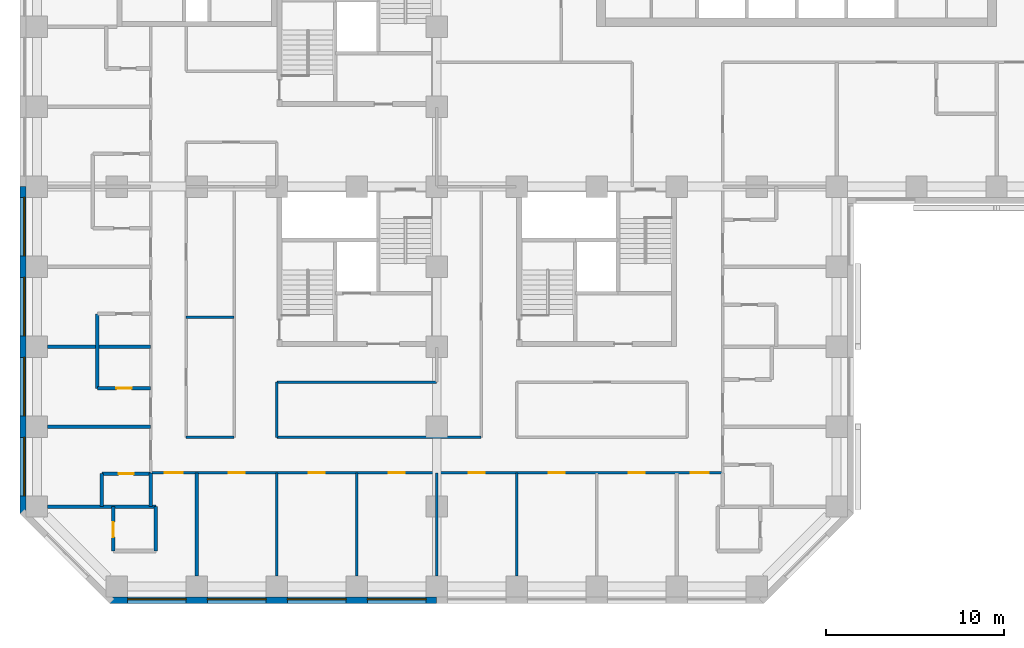
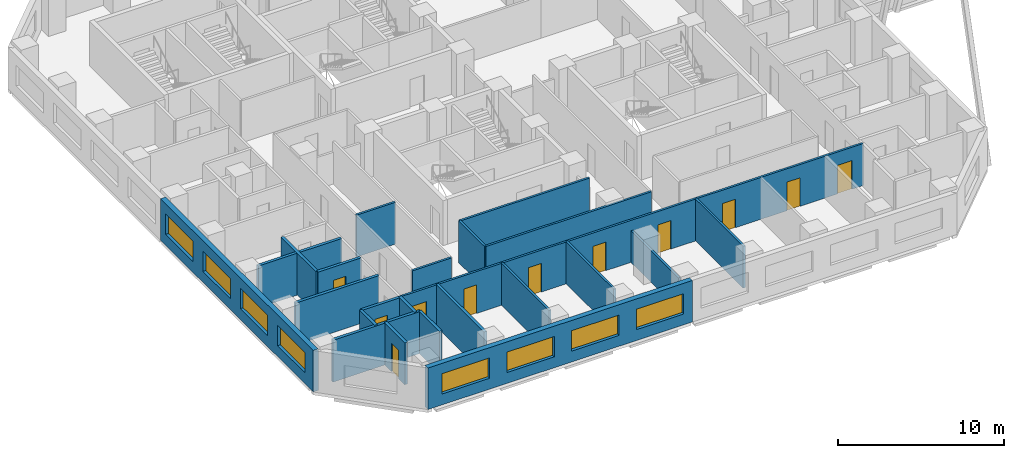
# One storey, part 3 of 14: 23 walls, 11 doors, 8 windows, 19 openings.
"""IFC4 building model written with IfcOpenShell, lengths in metres."""

from ifc_helpers import new_model, si_unit, direction, frame, frame_2d, origin, place, context, subcontext, project, spatial, rectangle, extrude, material, layer, layer_set, constituent, constituent_set, type_object, element, fill, save


model = new_model("IFC4")

# Units and contexts
model_context = context("Model", 3, precision=1e-05, world=origin(), true_north=direction((0.0, 1.0)))
body_context = subcontext(model_context, "Body", "Model", "MODEL_VIEW")
ifc_project = project(units=[si_unit("LENGTHUNIT", "METRE"), si_unit("AREAUNIT", "SQUARE_METRE"), si_unit("VOLUMEUNIT", "CUBIC_METRE"), si_unit("PLANEANGLEUNIT", "RADIAN"), si_unit("MASSUNIT", "GRAM", prefix="KILO")], contexts=[model_context])

# Site, building, storey
site_placement = place(None, origin())
site = spatial("IfcSite", under=ifc_project, at=site_placement, CompositionType="ELEMENT")
building_placement = place(site_placement, origin())
building = spatial("IfcBuilding", under=site, at=building_placement, Name="Quoin Convention Tower", CompositionType="ELEMENT")
storey_placement = place(building_placement, frame((0.0, 0.0, 66.0)))
storey = spatial("IfcBuildingStorey", under=building, at=storey_placement, Name="L17", CompositionType="ELEMENT", Elevation=66.0)

# Wall, openings, windows
ifc_material_1 = material(Name="Brick masonry", Category="masonry")
ifc_layer_1 = layer(ifc_material_1, 0.35009765625)
ifc_layer_set_1 = layer_set([ifc_layer_1], Name="Brick masonry")
wall_type_1 = type_object("IfcWallType", Name="Brick facade wall", PredefinedType="STANDARD", material=ifc_layer_set_1)
wall_1_placement = place(storey_placement, frame((17.6064453125, 17.22509765625, 0.0), z_axis=(0.0, 0.0, 1.0), x_axis=(1.0, 0.0, 0.0)))
wall_1 = element("IfcWall", 1, at=wall_1_placement, inside=storey, type_object=wall_type_1, Name="fw-L17-18000_18000", PredefinedType="STANDARD", context=body_context, shape_type="SweptSolid", body=[
    extrude(rectangle(XDim=18.3935546875, YDim=0.35009765625, at=frame_2d((9.19677734375, 0.0))), origin(), (0.0, 0.0, 1.0), 3.054931640625),
])
opening_1_placement = place(wall_1_placement, frame((0.993408203125, 0.0, 0.800048828125)))
opening_1 = element("IfcOpeningElement", 2, at=opening_1_placement, cuts=wall_1, Name="Opening W-01", PredefinedType="OPENING", context=body_context, shape_type="SweptSolid", body=[
    extrude(rectangle(XDim=3.300048828125, YDim=1.5, at=frame_2d((1.64990234375, 0.75))), frame((0.0, 0.18505859375, 0.0), z_axis=(0.0, -1.0, 0.0), x_axis=(1.0, 0.0, 0.0)), (0.0, 0.0, 1.0), 0.3701171875),
])
opening_2_placement = place(wall_1_placement, frame((5.493408203125, 0.0, 0.800048828125)))
opening_2 = element("IfcOpeningElement", 3, at=opening_2_placement, cuts=wall_1, Name="Opening W-01", PredefinedType="OPENING", context=body_context, shape_type="SweptSolid", body=[
    extrude(rectangle(XDim=3.300048828125, YDim=1.5, at=frame_2d((1.64990234375, 0.75))), frame((0.0, 0.18505859375, 0.0), z_axis=(0.0, -1.0, 0.0), x_axis=(1.0, 0.0, 0.0)), (0.0, 0.0, 1.0), 0.3701171875),
])
opening_3_placement = place(wall_1_placement, frame((9.993408203125, 0.0, 0.800048828125)))
opening_3 = element("IfcOpeningElement", 4, at=opening_3_placement, cuts=wall_1, Name="Opening W-01", PredefinedType="OPENING", context=body_context, shape_type="SweptSolid", body=[
    extrude(rectangle(XDim=3.300048828125, YDim=1.5, at=frame_2d((1.64990234375, 0.75))), frame((0.0, 0.18505859375, 0.0), z_axis=(0.0, -1.0, 0.0), x_axis=(1.0, 0.0, 0.0)), (0.0, 0.0, 1.0), 0.3701171875),
])
opening_4_placement = place(wall_1_placement, frame((14.493408203125, 0.0, 0.800048828125)))
opening_4 = element("IfcOpeningElement", 5, at=opening_4_placement, cuts=wall_1, Name="Opening W-01", PredefinedType="OPENING", context=body_context, shape_type="SweptSolid", body=[
    extrude(rectangle(XDim=3.300048828125, YDim=1.5, at=frame_2d((1.64990234375, 0.75))), frame((0.0, 0.18505859375, 0.0), z_axis=(0.0, -1.0, 0.0), x_axis=(1.0, 0.0, 0.0)), (0.0, 0.0, 1.0), 0.3701171875),
])
ifc_material_2 = material(Name="Aluminium", Category="aluminium")
ifc_constituent_1 = constituent(ifc_material_2, Name="Frame")
ifc_material_3 = material(Name="Insulated glass", Category="glass")
ifc_constituent_2 = constituent(ifc_material_3, Name="Glazing")
ifc_constituent_set = constituent_set(constituents=[ifc_constituent_1, ifc_constituent_2], Name="Aluminium")
window_type = type_object("IfcWindowType", Name="Hotel strip window", PartitioningType="DOUBLE_PANEL_VERTICAL", PredefinedType="WINDOW", material=ifc_constituent_set)
window_1_placement = place(opening_1_placement, origin())
window_1 = element("IfcWindow", 6, at=window_1_placement, inside=storey, type_object=window_type, Name="win-L17-20250_17225", OverallHeight=1.5, OverallWidth=3.300048828125, PartitioningType="SINGLE_PANEL", PredefinedType="WINDOW", context=body_context, shape_type="SweptSolid", body=[
    extrude(rectangle(XDim=3.300048828125, YDim=1.5, at=frame_2d((1.64990234375, 0.75))), frame((0.0, 0.0849609375, 0.0), z_axis=(0.0, -1.0, 0.0), x_axis=(1.0, 0.0, 0.0)), (0.0, 0.0, 1.0), 0.06005859375),
])
fill(opening_1, window_1)
window_2_placement = place(opening_2_placement, origin())
window_2 = element("IfcWindow", 7, at=window_2_placement, inside=storey, type_object=window_type, Name="win-L17-24750_17225", OverallHeight=1.5, OverallWidth=3.300048828125, PartitioningType="SINGLE_PANEL", PredefinedType="WINDOW", context=body_context, shape_type="SweptSolid", body=[
    extrude(rectangle(XDim=3.300048828125, YDim=1.5, at=frame_2d((1.64990234375, 0.75))), frame((0.0, 0.0849609375, 0.0), z_axis=(0.0, -1.0, 0.0), x_axis=(1.0, 0.0, 0.0)), (0.0, 0.0, 1.0), 0.06005859375),
])
fill(opening_2, window_2)
window_3_placement = place(opening_3_placement, origin())
window_3 = element("IfcWindow", 8, at=window_3_placement, inside=storey, type_object=window_type, Name="win-L17-29250_17225", OverallHeight=1.5, OverallWidth=3.300048828125, PartitioningType="SINGLE_PANEL", PredefinedType="WINDOW", context=body_context, shape_type="SweptSolid", body=[
    extrude(rectangle(XDim=3.300048828125, YDim=1.5, at=frame_2d((1.64990234375, 0.75))), frame((0.0, 0.0849609375, 0.0), z_axis=(0.0, -1.0, 0.0), x_axis=(1.0, 0.0, 0.0)), (0.0, 0.0, 1.0), 0.06005859375),
])
fill(opening_3, window_3)
window_4_placement = place(opening_4_placement, origin())
window_4 = element("IfcWindow", 9, at=window_4_placement, inside=storey, type_object=window_type, Name="win-L17-33750_17225", OverallHeight=1.5, OverallWidth=3.300048828125, PartitioningType="SINGLE_PANEL", PredefinedType="WINDOW", context=body_context, shape_type="SweptSolid", body=[
    extrude(rectangle(XDim=3.300048828125, YDim=1.5, at=frame_2d((1.64990234375, 0.75))), frame((0.0, 0.0849609375, 0.0), z_axis=(0.0, -1.0, 0.0), x_axis=(1.0, 0.0, 0.0)), (0.0, 0.0, 1.0), 0.06005859375),
])
fill(opening_4, window_4)

wall_2_placement = place(storey_placement, frame((12.72509765625, 40.5, 0.0), z_axis=(0.0, 0.0, 1.0), x_axis=(0.0, -1.0, 0.0)))
wall_2 = element("IfcWall", 10, at=wall_2_placement, inside=storey, type_object=wall_type_1, Name="fw-L17-13500_40500", PredefinedType="STANDARD", context=body_context, shape_type="SweptSolid", body=[
    extrude(rectangle(XDim=18.3935546875, YDim=0.35009765625, at=frame_2d((9.19677734375, 0.0))), origin(), (0.0, 0.0, 1.0), 3.054931640625),
])
opening_5_placement = place(wall_2_placement, frame((0.60009765625, 0.0, 0.800048828125)))
opening_5 = element("IfcOpeningElement", 11, at=opening_5_placement, cuts=wall_2, Name="Opening W-01", PredefinedType="OPENING", context=body_context, shape_type="SweptSolid", body=[
    extrude(rectangle(XDim=3.300048828125, YDim=1.5, at=frame_2d((1.64990234375, 0.75))), frame((0.0, 0.18505859375, 0.0), z_axis=(0.0, -1.0, 0.0), x_axis=(1.0, 0.0, 0.0)), (0.0, 0.0, 1.0), 0.3701171875),
])
opening_6_placement = place(wall_2_placement, frame((5.10009765625, 0.0, 0.800048828125)))
opening_6 = element("IfcOpeningElement", 12, at=opening_6_placement, cuts=wall_2, Name="Opening W-01", PredefinedType="OPENING", context=body_context, shape_type="SweptSolid", body=[
    extrude(rectangle(XDim=3.300048828125, YDim=1.5, at=frame_2d((1.64990234375, 0.75))), frame((0.0, 0.18505859375, 0.0), z_axis=(0.0, -1.0, 0.0), x_axis=(1.0, 0.0, 0.0)), (0.0, 0.0, 1.0), 0.3701171875),
])
opening_7_placement = place(wall_2_placement, frame((9.60009765625, 0.0, 0.800048828125)))
opening_7 = element("IfcOpeningElement", 13, at=opening_7_placement, cuts=wall_2, Name="Opening W-01", PredefinedType="OPENING", context=body_context, shape_type="SweptSolid", body=[
    extrude(rectangle(XDim=3.300048828125, YDim=1.5, at=frame_2d((1.64990234375, 0.75))), frame((0.0, 0.18505859375, 0.0), z_axis=(0.0, -1.0, 0.0), x_axis=(1.0, 0.0, 0.0)), (0.0, 0.0, 1.0), 0.3701171875),
])
opening_8_placement = place(wall_2_placement, frame((14.10009765625, 0.0, 0.800048828125)))
opening_8 = element("IfcOpeningElement", 14, at=opening_8_placement, cuts=wall_2, Name="Opening W-01", PredefinedType="OPENING", context=body_context, shape_type="SweptSolid", body=[
    extrude(rectangle(XDim=3.300048828125, YDim=1.5, at=frame_2d((1.64990234375, 0.75))), frame((0.0, 0.18505859375, 0.0), z_axis=(0.0, -1.0, 0.0), x_axis=(1.0, 0.0, 0.0)), (0.0, 0.0, 1.0), 0.3701171875),
])
window_5_placement = place(opening_5_placement, origin())
window_5 = element("IfcWindow", 15, at=window_5_placement, inside=storey, type_object=window_type, Name="win-L17-12725_38250", OverallHeight=1.5, OverallWidth=3.300048828125, PartitioningType="SINGLE_PANEL", PredefinedType="WINDOW", context=body_context, shape_type="SweptSolid", body=[
    extrude(rectangle(XDim=3.300048828125, YDim=1.5, at=frame_2d((1.64990234375, 0.75))), frame((0.0, 0.0849609375, 0.0), z_axis=(0.0, -1.0, 0.0), x_axis=(1.0, 0.0, 0.0)), (0.0, 0.0, 1.0), 0.06005859375),
])
fill(opening_5, window_5)
window_6_placement = place(opening_6_placement, origin())
window_6 = element("IfcWindow", 16, at=window_6_placement, inside=storey, type_object=window_type, Name="win-L17-12725_33750", OverallHeight=1.5, OverallWidth=3.300048828125, PartitioningType="SINGLE_PANEL", PredefinedType="WINDOW", context=body_context, shape_type="SweptSolid", body=[
    extrude(rectangle(XDim=3.300048828125, YDim=1.5, at=frame_2d((1.64990234375, 0.75))), frame((0.0, 0.0849609375, 0.0), z_axis=(0.0, -1.0, 0.0), x_axis=(1.0, 0.0, 0.0)), (0.0, 0.0, 1.0), 0.06005859375),
])
fill(opening_6, window_6)
window_7_placement = place(opening_7_placement, origin())
window_7 = element("IfcWindow", 17, at=window_7_placement, inside=storey, type_object=window_type, Name="win-L17-12725_29250", OverallHeight=1.5, OverallWidth=3.300048828125, PartitioningType="SINGLE_PANEL", PredefinedType="WINDOW", context=body_context, shape_type="SweptSolid", body=[
    extrude(rectangle(XDim=3.300048828125, YDim=1.5, at=frame_2d((1.64990234375, 0.75))), frame((0.0, 0.0849609375, 0.0), z_axis=(0.0, -1.0, 0.0), x_axis=(1.0, 0.0, 0.0)), (0.0, 0.0, 1.0), 0.06005859375),
])
fill(opening_7, window_7)
window_8_placement = place(opening_8_placement, origin())
window_8 = element("IfcWindow", 18, at=window_8_placement, inside=storey, type_object=window_type, Name="win-L17-12725_24750", OverallHeight=1.5, OverallWidth=3.300048828125, PartitioningType="SINGLE_PANEL", PredefinedType="WINDOW", context=body_context, shape_type="SweptSolid", body=[
    extrude(rectangle(XDim=3.300048828125, YDim=1.5, at=frame_2d((1.64990234375, 0.75))), frame((0.0, 0.0849609375, 0.0), z_axis=(0.0, -1.0, 0.0), x_axis=(1.0, 0.0, 0.0)), (0.0, 0.0, 1.0), 0.06005859375),
])
fill(opening_8, window_8)

# Wall
ifc_material_4 = material(Name="Concrete C50", Category="concrete")
ifc_layer_2 = layer(ifc_material_4, 0.199951171875)
ifc_layer_set_2 = layer_set([ifc_layer_2], Name="Concrete C50")
wall_type_2 = type_object("IfcWallType", Name="RC party wall", PredefinedType="SOLIDWALL", material=ifc_layer_set_2)
wall_3_placement = place(storey_placement, frame((22.5, 18.60009765625, 0.0), z_axis=(0.0, 0.0, 1.0), x_axis=(0.0, 1.0, 0.0)))
element("IfcWall", 19, at=wall_3_placement, inside=storey, type_object=wall_type_2, Name="pw-L17-039", PredefinedType="SOLIDWALL", context=body_context, shape_type="SweptSolid", body=[
    extrude(rectangle(XDim=5.7998046875, YDim=0.199951171875, at=frame_2d((2.89990234375, 0.0))), origin(), (0.0, 0.0, 1.0), 3.080078125),
])

# Wall, opening, door
wall_4_placement = place(storey_placement, frame((17.800048828125, 20.0, 0.0), z_axis=(0.0, 0.0, 1.0), x_axis=(0.0, 1.0, 0.0)))
wall_4 = element("IfcWall", 20, at=wall_4_placement, inside=storey, type_object=wall_type_2, Name="pw-L17-042", PredefinedType="SOLIDWALL", context=body_context, shape_type="SweptSolid", body=[
    extrude(rectangle(XDim=2.5, YDim=0.199951171875, at=frame_2d((1.25, 0.0))), origin(), (0.0, 0.0, 1.0), 3.080078125),
])
opening_9_placement = place(wall_4_placement, frame((0.77490234375, 0.0, 0.0)))
opening_9 = element("IfcOpeningElement", 21, at=opening_9_placement, cuts=wall_4, Name="Opening DHOTEL-G-47", PredefinedType="OPENING", context=body_context, shape_type="SweptSolid", body=[
    extrude(rectangle(XDim=0.85009765625, YDim=2.10009765625, at=frame_2d((0.425048828125, 1.050048828125))), frame((0.0, 0.10986328125, 0.0), z_axis=(0.0, -1.0, 0.0), x_axis=(1.0, 0.0, 0.0)), (0.0, 0.0, 1.0), 0.219970703125),
])
ifc_material_5 = material(Name="Steel door leaf", Category="steel")
door_type_1 = type_object("IfcDoorType", Name="Bathroom door", OperationType="SINGLE_SWING_LEFT", PredefinedType="DOOR", material=ifc_material_5)
door_1_placement = place(opening_9_placement, origin())
door_1 = element("IfcDoor", 22, at=door_1_placement, inside=storey, type_object=door_type_1, Name="dr-L17-066", OperationType="SINGLE_SWING_RIGHT", OverallHeight=2.10009765625, OverallWidth=0.85009765625, PredefinedType="DOOR", context=body_context, shape_type="SweptSolid", body=[
    extrude(rectangle(XDim=0.85009765625, YDim=2.10009765625, at=frame_2d((0.425048828125, 1.050048828125))), frame((0.0, 0.02490234375, 0.0), z_axis=(0.0, -1.0, 0.0), x_axis=(1.0, 0.0, 0.0)), (0.0, 0.0, 1.0), 0.050048828125),
])
fill(opening_9, door_1)

# Walls
wall_5_placement = place(storey_placement, frame((20.199951171875, 20.0, 0.0), z_axis=(0.0, 0.0, 1.0), x_axis=(0.0, 1.0, 0.0)))
element("IfcWall", 23, at=wall_5_placement, inside=storey, type_object=wall_type_2, Name="pw-L17-043", PredefinedType="SOLIDWALL", context=body_context, shape_type="SweptSolid", body=[
    extrude(rectangle(XDim=2.5, YDim=0.199951171875, at=frame_2d((1.25, 0.0))), origin(), (0.0, 0.0, 1.0), 3.080078125),
])
wall_6_placement = place(storey_placement, frame((14.10009765625, 22.5, 0.0), z_axis=(0.0, 0.0, 1.0), x_axis=(1.0, 0.0, 0.0)))
element("IfcWall", 24, at=wall_6_placement, inside=storey, type_object=wall_type_2, Name="pw-L17-047", PredefinedType="SOLIDWALL", context=body_context, shape_type="SweptSolid", body=[
    extrude(rectangle(XDim=6.099853515625, YDim=0.199951171875, at=frame_2d((3.0498046875, 0.0))), origin(), (0.0, 0.0, 1.0), 3.080078125),
])
wall_7_placement = place(storey_placement, frame((17.14990234375, 22.5, 0.0), z_axis=(0.0, 0.0, 1.0), x_axis=(0.0, 1.0, 0.0)))
element("IfcWall", 25, at=wall_7_placement, inside=storey, type_object=wall_type_2, Name="pw-L17-048", PredefinedType="SOLIDWALL", context=body_context, shape_type="SweptSolid", body=[
    extrude(rectangle(XDim=1.85009765625, YDim=0.199951171875, at=frame_2d((0.925048828125, 0.0))), origin(), (0.0, 0.0, 1.0), 3.080078125),
])
wall_8_placement = place(storey_placement, frame((19.89990234375, 22.5, 0.0), z_axis=(0.0, 0.0, 1.0), x_axis=(0.0, 1.0, 0.0)))
element("IfcWall", 26, at=wall_8_placement, inside=storey, type_object=wall_type_2, Name="pw-L17-049", PredefinedType="SOLIDWALL", context=body_context, shape_type="SweptSolid", body=[
    extrude(rectangle(XDim=1.89990234375, YDim=0.199951171875, at=frame_2d((0.949951171875, 0.0))), origin(), (0.0, 0.0, 1.0), 3.080078125),
])

# Wall, opening, door
wall_9_placement = place(storey_placement, frame((17.14990234375, 24.35009765625, 0.0), z_axis=(0.0, 0.0, 1.0), x_axis=(1.0, 0.0, 0.0)))
wall_9 = element("IfcWall", 27, at=wall_9_placement, inside=storey, type_object=wall_type_2, Name="pw-L17-053", PredefinedType="SOLIDWALL", context=body_context, shape_type="SweptSolid", body=[
    extrude(rectangle(XDim=2.75, YDim=0.199951171875, at=frame_2d((1.375, 0.0))), origin(), (0.0, 0.0, 1.0), 3.080078125),
])
opening_10_placement = place(wall_9_placement, frame((0.949951171875, 0.0, 0.0)))
opening_10 = element("IfcOpeningElement", 28, at=opening_10_placement, cuts=wall_9, Name="Opening DHOTEL-G-49", PredefinedType="OPENING", context=body_context, shape_type="SweptSolid", body=[
    extrude(rectangle(XDim=0.85009765625, YDim=2.10009765625, at=frame_2d((0.425048828125, 1.050048828125))), frame((0.0, 0.10986328125, 0.0), z_axis=(0.0, -1.0, 0.0), x_axis=(1.0, 0.0, 0.0)), (0.0, 0.0, 1.0), 0.219970703125),
])
door_2_placement = place(opening_10_placement, origin())
door_2 = element("IfcDoor", 29, at=door_2_placement, inside=storey, type_object=door_type_1, Name="dr-L17-008", OperationType="SINGLE_SWING_RIGHT", OverallHeight=2.10009765625, OverallWidth=0.85009765625, PredefinedType="DOOR", context=body_context, shape_type="SweptSolid", body=[
    extrude(rectangle(XDim=0.85009765625, YDim=2.10009765625, at=frame_2d((0.425048828125, 1.050048828125))), frame((0.0, 0.02490234375, 0.0), z_axis=(0.0, -1.0, 0.0), x_axis=(1.0, 0.0, 0.0)), (0.0, 0.0, 1.0), 0.050048828125),
])
fill(opening_10, door_2)

# Wall
wall_10_placement = place(storey_placement, frame((14.10009765625, 27.0, 0.0), z_axis=(0.0, 0.0, 1.0), x_axis=(1.0, 0.0, 0.0)))
element("IfcWall", 30, at=wall_10_placement, inside=storey, type_object=wall_type_2, Name="pw-L17-055", PredefinedType="SOLIDWALL", context=body_context, shape_type="SweptSolid", body=[
    extrude(rectangle(XDim=5.7998046875, YDim=0.199951171875, at=frame_2d((2.89990234375, 0.0))), origin(), (0.0, 0.0, 1.0), 3.080078125),
])

# Wall, opening, door
wall_11_placement = place(storey_placement, frame((16.89990234375, 29.14990234375, 0.0), z_axis=(0.0, 0.0, 1.0), x_axis=(1.0, 0.0, 0.0)))
wall_11 = element("IfcWall", 31, at=wall_11_placement, inside=storey, type_object=wall_type_2, Name="pw-L17-057", PredefinedType="SOLIDWALL", context=body_context, shape_type="SweptSolid", body=[
    extrude(rectangle(XDim=3.0, YDim=0.199951171875, at=frame_2d((1.5, 0.0))), origin(), (0.0, 0.0, 1.0), 3.080078125),
])
opening_11_placement = place(wall_11_placement, frame((1.074951171875, 0.0, 0.0)))
opening_11 = element("IfcOpeningElement", 32, at=opening_11_placement, cuts=wall_11, Name="Opening DHOTEL-G-51", PredefinedType="OPENING", context=body_context, shape_type="SweptSolid", body=[
    extrude(rectangle(XDim=0.85009765625, YDim=2.10009765625, at=frame_2d((0.425048828125, 1.050048828125))), frame((0.0, 0.10986328125, 0.0), z_axis=(0.0, -1.0, 0.0), x_axis=(1.0, 0.0, 0.0)), (0.0, 0.0, 1.0), 0.219970703125),
])
door_3_placement = place(opening_11_placement, frame((0.85009765625, 0.0, 0.0), z_axis=(0.0, 0.0, 1.0), x_axis=(-1.0, 0.0, 0.0)))
door_3 = element("IfcDoor", 33, at=door_3_placement, inside=storey, type_object=door_type_1, Name="dr-L17-010", OperationType="SINGLE_SWING_LEFT", OverallHeight=2.10009765625, OverallWidth=0.85009765625, PredefinedType="DOOR", context=body_context, shape_type="SweptSolid", body=[
    extrude(rectangle(XDim=0.85009765625, YDim=2.10009765625, at=frame_2d((0.425048828125, 1.050048828125))), frame((0.0, 0.02490234375, 0.0), z_axis=(0.0, -1.0, 0.0), x_axis=(1.0, 0.0, 0.0)), (0.0, 0.0, 1.0), 0.050048828125),
])
fill(opening_11, door_3)

# Walls
wall_12_placement = place(storey_placement, frame((16.89990234375, 29.14990234375, 0.0), z_axis=(0.0, 0.0, 1.0), x_axis=(0.0, 1.0, 0.0)))
element("IfcWall", 34, at=wall_12_placement, inside=storey, type_object=wall_type_2, Name="pw-L17-058", PredefinedType="SOLIDWALL", context=body_context, shape_type="SweptSolid", body=[
    extrude(rectangle(XDim=4.2001953125, YDim=0.199951171875, at=frame_2d((2.10009765625, 0.0))), origin(), (0.0, 0.0, 1.0), 3.080078125),
])
wall_13_placement = place(storey_placement, frame((14.10009765625, 31.5, 0.0), z_axis=(0.0, 0.0, 1.0), x_axis=(1.0, 0.0, 0.0)))
element("IfcWall", 35, at=wall_13_placement, inside=storey, type_object=wall_type_2, Name="pw-L17-061", PredefinedType="SOLIDWALL", context=body_context, shape_type="SweptSolid", body=[
    extrude(rectangle(XDim=5.7998046875, YDim=0.199951171875, at=frame_2d((2.89990234375, 0.0))), origin(), (0.0, 0.0, 1.0), 3.080078125),
])

# Wall, openings, doors
ifc_material_6 = material(Name="Plasterboard")
ifc_layer_3 = layer(ifc_material_6, 0.012451171875, Name="Finish")
ifc_material_7 = material(Name="Steel stud framing", Category="steel")
ifc_layer_4 = layer(ifc_material_7, 0.125, Name="Structure")
ifc_layer_5 = layer(ifc_material_6, 0.012451171875, Name="Finish")
ifc_layer_set_3 = layer_set([ifc_layer_3, ifc_layer_4, ifc_layer_5], Name="Steel stud framing")
wall_type_3 = type_object("IfcWallType", Name="corridor partition", PredefinedType="PARTITIONING", material=ifc_layer_set_3)
wall_14_placement = place(storey_placement, frame((19.89990234375, 24.39990234375, 0.0), z_axis=(0.0, 0.0, 1.0), x_axis=(1.0, 0.0, 0.0)))
wall_14 = element("IfcWall", 36, at=wall_14_placement, inside=storey, type_object=wall_type_3, Name="pw-L17-005", PredefinedType="PARTITIONING", context=body_context, shape_type="SweptSolid", body=[
    extrude(rectangle(XDim=32.2001953125, YDim=0.14990234375, at=frame_2d((16.10009765625, 0.0))), origin(), (0.0, 0.0, 1.0), 3.080078125),
])
opening_12_placement = place(wall_14_placement, frame((4.39990234375, 0.0, 0.0)))
opening_12 = element("IfcOpeningElement", 37, at=opening_12_placement, cuts=wall_14, Name="Opening DHOTEL-G-02", PredefinedType="OPENING", context=body_context, shape_type="SweptSolid", body=[
    extrude(rectangle(XDim=0.89990234375, YDim=2.10009765625, at=frame_2d((0.449951171875, 1.050048828125))), frame((0.0, 0.0849609375, 0.0), z_axis=(0.0, -1.0, 0.0), x_axis=(1.0, 0.0, 0.0)), (0.0, 0.0, 1.0), 0.169921875),
])
opening_13_placement = place(wall_14_placement, frame((8.89990234375, 0.0, 0.0)))
opening_13 = element("IfcOpeningElement", 38, at=opening_13_placement, cuts=wall_14, Name="Opening DHOTEL-G-03", PredefinedType="OPENING", context=body_context, shape_type="SweptSolid", body=[
    extrude(rectangle(XDim=0.89990234375, YDim=2.10009765625, at=frame_2d((0.449951171875, 1.050048828125))), frame((0.0, 0.0849609375, 0.0), z_axis=(0.0, -1.0, 0.0), x_axis=(1.0, 0.0, 0.0)), (0.0, 0.0, 1.0), 0.169921875),
])
opening_14_placement = place(wall_14_placement, frame((13.39990234375, 0.0, 0.0)))
opening_14 = element("IfcOpeningElement", 39, at=opening_14_placement, cuts=wall_14, Name="Opening DHOTEL-G-04", PredefinedType="OPENING", context=body_context, shape_type="SweptSolid", body=[
    extrude(rectangle(XDim=0.89990234375, YDim=2.10009765625, at=frame_2d((0.449951171875, 1.050048828125))), frame((0.0, 0.0849609375, 0.0), z_axis=(0.0, -1.0, 0.0), x_axis=(1.0, 0.0, 0.0)), (0.0, 0.0, 1.0), 0.169921875),
])
opening_15_placement = place(wall_14_placement, frame((17.89990234375, 0.0, 0.0)))
opening_15 = element("IfcOpeningElement", 40, at=opening_15_placement, cuts=wall_14, Name="Opening DHOTEL-G-05", PredefinedType="OPENING", context=body_context, shape_type="SweptSolid", body=[
    extrude(rectangle(XDim=0.89990234375, YDim=2.10009765625, at=frame_2d((0.449951171875, 1.050048828125))), frame((0.0, 0.0849609375, 0.0), z_axis=(0.0, -1.0, 0.0), x_axis=(1.0, 0.0, 0.0)), (0.0, 0.0, 1.0), 0.169921875),
])
opening_16_placement = place(wall_14_placement, frame((22.39990234375, 0.0, 0.0)))
opening_16 = element("IfcOpeningElement", 41, at=opening_16_placement, cuts=wall_14, Name="Opening DHOTEL-G-06", PredefinedType="OPENING", context=body_context, shape_type="SweptSolid", body=[
    extrude(rectangle(XDim=0.89990234375, YDim=2.10009765625, at=frame_2d((0.449951171875, 1.050048828125))), frame((0.0, 0.0849609375, 0.0), z_axis=(0.0, -1.0, 0.0), x_axis=(1.0, 0.0, 0.0)), (0.0, 0.0, 1.0), 0.169921875),
])
opening_17_placement = place(wall_14_placement, frame((26.89990234375, 0.0, 0.0)))
opening_17 = element("IfcOpeningElement", 42, at=opening_17_placement, cuts=wall_14, Name="Opening DHOTEL-G-07", PredefinedType="OPENING", context=body_context, shape_type="SweptSolid", body=[
    extrude(rectangle(XDim=0.89990234375, YDim=2.10009765625, at=frame_2d((0.449951171875, 1.050048828125))), frame((0.0, 0.0849609375, 0.0), z_axis=(0.0, -1.0, 0.0), x_axis=(1.0, 0.0, 0.0)), (0.0, 0.0, 1.0), 0.169921875),
])
opening_18_placement = place(wall_14_placement, frame((0.800048828125, 0.0, 0.0)))
opening_18 = element("IfcOpeningElement", 43, at=opening_18_placement, cuts=wall_14, Name="Opening DHOTEL-G-01", PredefinedType="OPENING", context=body_context, shape_type="SweptSolid", body=[
    extrude(rectangle(XDim=1.0, YDim=2.10009765625, at=frame_2d((0.5, 1.050048828125))), frame((0.0, 0.0849609375, 0.0), z_axis=(0.0, -1.0, 0.0), x_axis=(1.0, 0.0, 0.0)), (0.0, 0.0, 1.0), 0.169921875),
])
opening_19_placement = place(wall_14_placement, frame((30.39990234375, 0.0, 0.0)))
opening_19 = element("IfcOpeningElement", 44, at=opening_19_placement, cuts=wall_14, Name="Opening DHOTEL-G-08", PredefinedType="OPENING", context=body_context, shape_type="SweptSolid", body=[
    extrude(rectangle(XDim=1.0, YDim=2.10009765625, at=frame_2d((0.5, 1.050048828125))), frame((0.0, 0.0849609375, 0.0), z_axis=(0.0, -1.0, 0.0), x_axis=(1.0, 0.0, 0.0)), (0.0, 0.0, 1.0), 0.169921875),
])
door_type_2 = type_object("IfcDoorType", Name="Hotel room door", OperationType="SINGLE_SWING_LEFT", PredefinedType="DOOR", material=ifc_material_5)
door_4_placement = place(opening_18_placement, frame((1.0, 0.0, 0.0), z_axis=(0.0, 0.0, 1.0), x_axis=(-1.0, 0.0, 0.0)))
door_4 = element("IfcDoor", 45, at=door_4_placement, inside=storey, type_object=door_type_2, Name="dr-L17-065", OperationType="SINGLE_SWING_LEFT", OverallHeight=2.10009765625, OverallWidth=1.0, PredefinedType="DOOR", context=body_context, shape_type="SweptSolid", body=[
    extrude(rectangle(XDim=1.0, YDim=2.10009765625, at=frame_2d((0.5, 1.050048828125))), frame((0.0, 0.02490234375, 0.0), z_axis=(0.0, -1.0, 0.0), x_axis=(1.0, 0.0, 0.0)), (0.0, 0.0, 1.0), 0.050048828125),
])
fill(opening_18, door_4)
door_5_placement = place(opening_19_placement, frame((1.0, 0.0, 0.0), z_axis=(0.0, 0.0, 1.0), x_axis=(-1.0, 0.0, 0.0)))
door_5 = element("IfcDoor", 46, at=door_5_placement, inside=storey, type_object=door_type_2, Name="dr-L17-067", OperationType="SINGLE_SWING_LEFT", OverallHeight=2.10009765625, OverallWidth=1.0, PredefinedType="DOOR", context=body_context, shape_type="SweptSolid", body=[
    extrude(rectangle(XDim=1.0, YDim=2.10009765625, at=frame_2d((0.5, 1.050048828125))), frame((0.0, 0.02490234375, 0.0), z_axis=(0.0, -1.0, 0.0), x_axis=(1.0, 0.0, 0.0)), (0.0, 0.0, 1.0), 0.050048828125),
])
fill(opening_19, door_5)
door_type_3 = type_object("IfcDoorType", Name="Service room door", OperationType="SINGLE_SWING_LEFT", PredefinedType="DOOR", material=ifc_material_5)
door_6_placement = place(opening_12_placement, frame((0.89990234375, 0.0, 0.0), z_axis=(0.0, 0.0, 1.0), x_axis=(-1.0, 0.0, 0.0)))
door_6 = element("IfcDoor", 47, at=door_6_placement, inside=storey, type_object=door_type_3, Name="dr-L17-001", OperationType="SINGLE_SWING_LEFT", OverallHeight=2.10009765625, OverallWidth=0.89990234375, PredefinedType="DOOR", context=body_context, shape_type="SweptSolid", body=[
    extrude(rectangle(XDim=0.89990234375, YDim=2.10009765625, at=frame_2d((0.449951171875, 1.050048828125))), frame((0.0, 0.02490234375, 0.0), z_axis=(0.0, -1.0, 0.0), x_axis=(1.0, 0.0, 0.0)), (0.0, 0.0, 1.0), 0.050048828125),
])
fill(opening_12, door_6)
door_7_placement = place(opening_13_placement, frame((0.89990234375, 0.0, 0.0), z_axis=(0.0, 0.0, 1.0), x_axis=(-1.0, 0.0, 0.0)))
door_7 = element("IfcDoor", 48, at=door_7_placement, inside=storey, type_object=door_type_3, Name="dr-L17-002", OperationType="SINGLE_SWING_LEFT", OverallHeight=2.10009765625, OverallWidth=0.89990234375, PredefinedType="DOOR", context=body_context, shape_type="SweptSolid", body=[
    extrude(rectangle(XDim=0.89990234375, YDim=2.10009765625, at=frame_2d((0.449951171875, 1.050048828125))), frame((0.0, 0.02490234375, 0.0), z_axis=(0.0, -1.0, 0.0), x_axis=(1.0, 0.0, 0.0)), (0.0, 0.0, 1.0), 0.050048828125),
])
fill(opening_13, door_7)
door_8_placement = place(opening_14_placement, frame((0.89990234375, 0.0, 0.0), z_axis=(0.0, 0.0, 1.0), x_axis=(-1.0, 0.0, 0.0)))
door_8 = element("IfcDoor", 49, at=door_8_placement, inside=storey, type_object=door_type_3, Name="dr-L17-003", OperationType="SINGLE_SWING_LEFT", OverallHeight=2.10009765625, OverallWidth=0.89990234375, PredefinedType="DOOR", context=body_context, shape_type="SweptSolid", body=[
    extrude(rectangle(XDim=0.89990234375, YDim=2.10009765625, at=frame_2d((0.449951171875, 1.050048828125))), frame((0.0, 0.02490234375, 0.0), z_axis=(0.0, -1.0, 0.0), x_axis=(1.0, 0.0, 0.0)), (0.0, 0.0, 1.0), 0.050048828125),
])
fill(opening_14, door_8)
door_9_placement = place(opening_15_placement, frame((0.89990234375, 0.0, 0.0), z_axis=(0.0, 0.0, 1.0), x_axis=(-1.0, 0.0, 0.0)))
door_9 = element("IfcDoor", 50, at=door_9_placement, inside=storey, type_object=door_type_3, Name="dr-L17-004", OperationType="SINGLE_SWING_LEFT", OverallHeight=2.10009765625, OverallWidth=0.89990234375, PredefinedType="DOOR", context=body_context, shape_type="SweptSolid", body=[
    extrude(rectangle(XDim=0.89990234375, YDim=2.10009765625, at=frame_2d((0.449951171875, 1.050048828125))), frame((0.0, 0.02490234375, 0.0), z_axis=(0.0, -1.0, 0.0), x_axis=(1.0, 0.0, 0.0)), (0.0, 0.0, 1.0), 0.050048828125),
])
fill(opening_15, door_9)
door_10_placement = place(opening_16_placement, frame((0.89990234375, 0.0, 0.0), z_axis=(0.0, 0.0, 1.0), x_axis=(-1.0, 0.0, 0.0)))
door_10 = element("IfcDoor", 51, at=door_10_placement, inside=storey, type_object=door_type_3, Name="dr-L17-005", OperationType="SINGLE_SWING_LEFT", OverallHeight=2.10009765625, OverallWidth=0.89990234375, PredefinedType="DOOR", context=body_context, shape_type="SweptSolid", body=[
    extrude(rectangle(XDim=0.89990234375, YDim=2.10009765625, at=frame_2d((0.449951171875, 1.050048828125))), frame((0.0, 0.02490234375, 0.0), z_axis=(0.0, -1.0, 0.0), x_axis=(1.0, 0.0, 0.0)), (0.0, 0.0, 1.0), 0.050048828125),
])
fill(opening_16, door_10)
door_11_placement = place(opening_17_placement, frame((0.89990234375, 0.0, 0.0), z_axis=(0.0, 0.0, 1.0), x_axis=(-1.0, 0.0, 0.0)))
door_11 = element("IfcDoor", 52, at=door_11_placement, inside=storey, type_object=door_type_3, Name="dr-L17-006", OperationType="SINGLE_SWING_LEFT", OverallHeight=2.10009765625, OverallWidth=0.89990234375, PredefinedType="DOOR", context=body_context, shape_type="SweptSolid", body=[
    extrude(rectangle(XDim=0.89990234375, YDim=2.10009765625, at=frame_2d((0.449951171875, 1.050048828125))), frame((0.0, 0.02490234375, 0.0), z_axis=(0.0, -1.0, 0.0), x_axis=(1.0, 0.0, 0.0)), (0.0, 0.0, 1.0), 0.050048828125),
])
fill(opening_17, door_11)

# Walls
wall_15_placement = place(storey_placement, frame((21.89990234375, 26.39990234375, 0.0), z_axis=(0.0, 0.0, 1.0), x_axis=(1.0, 0.0, 0.0)))
element("IfcWall", 53, at=wall_15_placement, inside=storey, type_object=wall_type_3, Name="pw-L17-008", PredefinedType="PARTITIONING", context=body_context, shape_type="SweptSolid", body=[
    extrude(rectangle(XDim=2.7001953125, YDim=0.14990234375, at=frame_2d((1.35009765625, 0.0))), origin(), (0.0, 0.0, 1.0), 3.080078125),
])
wall_16_placement = place(storey_placement, frame((27.0, 26.39990234375, 0.0), z_axis=(0.0, 0.0, 1.0), x_axis=(1.0, 0.0, 0.0)))
element("IfcWall", 54, at=wall_16_placement, inside=storey, type_object=wall_type_3, Name="pw-L17-011", PredefinedType="PARTITIONING", context=body_context, shape_type="SweptSolid", body=[
    extrude(rectangle(XDim=11.5, YDim=0.14990234375, at=frame_2d((5.75, 0.0))), origin(), (0.0, 0.0, 1.0), 3.080078125),
])
wall_17_placement = place(storey_placement, frame((27.0, 26.39990234375, 0.0), z_axis=(0.0, 0.0, 1.0), x_axis=(0.0, 1.0, 0.0)))
element("IfcWall", 55, at=wall_17_placement, inside=storey, type_object=wall_type_3, Name="pw-L17-012", PredefinedType="PARTITIONING", context=body_context, shape_type="SweptSolid", body=[
    extrude(rectangle(XDim=3.10009765625, YDim=0.14990234375, at=frame_2d((1.550048828125, 0.0))), origin(), (0.0, 0.0, 1.0), 3.080078125),
])
wall_18_placement = place(storey_placement, frame((27.0, 29.5, 0.0), z_axis=(0.0, 0.0, 1.0), x_axis=(1.0, 0.0, 0.0)))
element("IfcWall", 56, at=wall_18_placement, inside=storey, type_object=wall_type_3, Name="pw-L17-017", PredefinedType="PARTITIONING", context=body_context, shape_type="SweptSolid", body=[
    extrude(rectangle(XDim=9.0, YDim=0.14990234375, at=frame_2d((4.5, 0.0))), origin(), (0.0, 0.0, 1.0), 3.080078125),
])
ifc_layer_6 = layer(ifc_material_6, 0.012451171875, Name="Finish")
ifc_layer_7 = layer(ifc_material_7, 0.125, Name="Structure")
ifc_layer_8 = layer(ifc_material_6, 0.012451171875, Name="Finish")
ifc_layer_set_4 = layer_set([ifc_layer_6, ifc_layer_7, ifc_layer_8], Name="Steel stud framing")
wall_type_4 = type_object("IfcWallType", Name="room partition", PredefinedType="PARTITIONING", material=ifc_layer_set_4)
for number, where, z_axis, x_axis, name in (
    (57, (27.0, 18.60009765625, 0.0), (0.0, 0.0, 1.0), (0.0, 1.0, 0.0), "pw-L17-152"),
    (58, (31.5, 18.60009765625, 0.0), (0.0, 0.0, 1.0), (0.0, 1.0, 0.0), "pw-L17-153"),
    (59, (40.5, 18.60009765625, 0.0), (0.0, 0.0, 1.0), (0.0, 1.0, 0.0), "pw-L17-155"),
):
    element("IfcWall", number, at=place(storey_placement, frame(where, z_axis=z_axis, x_axis=x_axis)), inside=storey, type_object=wall_type_4, Name=name, PredefinedType="PARTITIONING", context=body_context, shape_type="SweptSolid", body=[
        extrude(rectangle(XDim=5.7998046875, YDim=0.14990234375, at=frame_2d((2.89990234375, 0.0))), origin(), (0.0, 0.0, 1.0), 3.080078125),
    ])
wall_19_placement = place(storey_placement, frame((21.89990234375, 33.14990234375, 0.0), z_axis=(0.0, 0.0, 1.0), x_axis=(1.0, 0.0, 0.0)))
element("IfcWall", 60, at=wall_19_placement, inside=storey, type_object=wall_type_4, Name="pw-L17-161", PredefinedType="PARTITIONING", context=body_context, shape_type="SweptSolid", body=[
    extrude(rectangle(XDim=2.7001953125, YDim=0.14990234375, at=frame_2d((1.35009765625, 0.0))), origin(), (0.0, 0.0, 1.0), 3.080078125),
])
ifc_layer_9 = layer(ifc_material_6, 0.012451171875, Name="Finish")
ifc_layer_10 = layer(ifc_material_7, 0.125, Name="Structure")
ifc_layer_11 = layer(ifc_material_6, 0.012451171875, Name="Finish")
ifc_layer_set_5 = layer_set([ifc_layer_9, ifc_layer_10, ifc_layer_11], Name="Steel stud framing")
wall_type_5 = type_object("IfcWallType", Name="room partition under beam 750", PredefinedType="PARTITIONING", material=ifc_layer_set_5)
wall_20_placement = place(storey_placement, frame((36.0, 18.60009765625, 0.0), z_axis=(0.0, 0.0, 1.0), x_axis=(0.0, 1.0, 0.0)))
element("IfcWall", 61, at=wall_20_placement, inside=storey, type_object=wall_type_5, Name="pw-L17-154", PredefinedType="PARTITIONING", context=body_context, shape_type="SweptSolid", body=[
    extrude(rectangle(XDim=5.7998046875, YDim=0.14990234375, at=frame_2d((2.89990234375, 0.0))), origin(), (0.0, 0.0, 1.0), 2.330078125),
])

save(model, "model.ifc")
